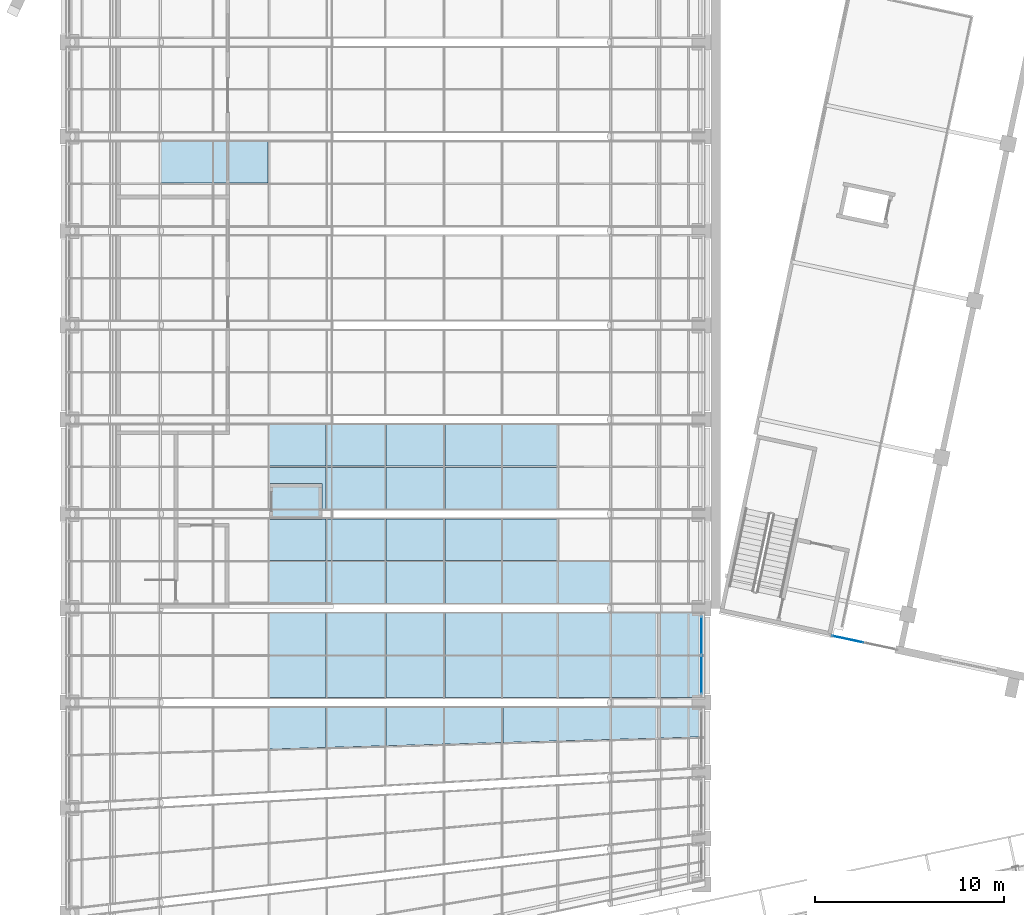
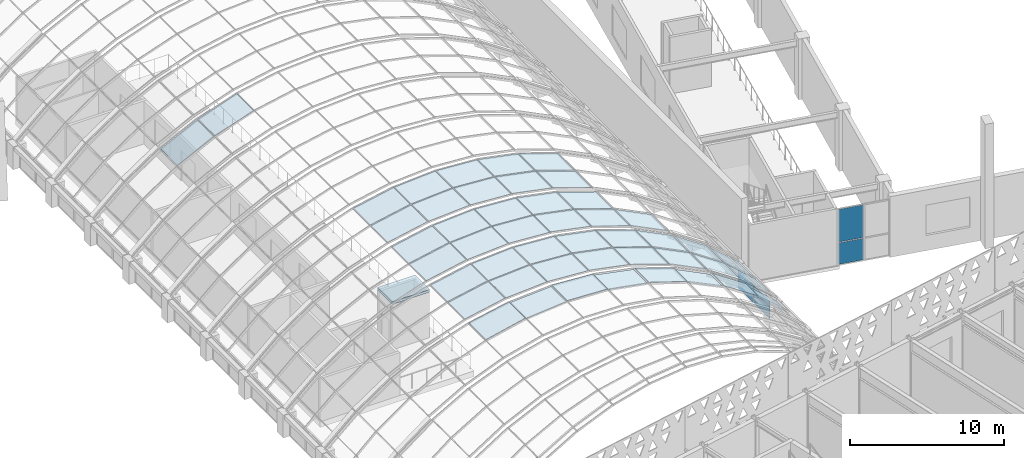
# One storey, part 106 of 182: 51 plates, 1 slab, 7 elements without a shape of their own.
"""IFC4 building model written with IfcOpenShell, lengths in metres."""

from ifc_helpers import new_model, si_unit, direction, frame, origin, origin_2d, place, context, subcontext, project, spatial, polyline, rectangle, outline, extrude, material, layer, layer_set, type_object, element, aggregate, save


model = new_model("IFC4")

# Units and contexts
model_context = context("Model", 3, precision=1e-05, world=origin(), true_north=direction((0.0, 1.0)))
body_context = subcontext(model_context, "Body", "Model", "MODEL_VIEW")
ifc_project = project(units=[si_unit("LENGTHUNIT", "METRE"), si_unit("AREAUNIT", "SQUARE_METRE"), si_unit("VOLUMEUNIT", "CUBIC_METRE"), si_unit("PLANEANGLEUNIT", "RADIAN"), si_unit("MASSUNIT", "GRAM", prefix="KILO")], contexts=[model_context])

# Site, building, storey
site_placement = place(None, origin())
site = spatial("IfcSite", under=ifc_project, at=site_placement, CompositionType="ELEMENT")
building_placement = place(site_placement, origin())
building = spatial("IfcBuilding", under=site, at=building_placement, Name="Okhra Congress Centre", CompositionType="ELEMENT")
storey_placement = place(building_placement, frame((0.0, 0.0, 7.199951171875)))
storey = spatial("IfcBuildingStorey", under=building, at=storey_placement, Name="L01", CompositionType="ELEMENT", Elevation=7.199951171875)

# Curtain wall, plates
ifc_material_1 = material(Name="Aluminium curtain wall, triple glazing", Category="aluminium")
curtain_wall_type_1 = type_object("IfcCurtainWallType", Name="Curtain wall 2100 module", PredefinedType="NOTDEFINED", material=ifc_material_1)
curtain_wall_1_placement = place(storey_placement, origin())
curtain_wall_1 = element("IfcCurtainWall", 1, at=curtain_wall_1_placement, inside=storey, type_object=curtain_wall_type_1, Name="East bay 4 clerestory glazing", PredefinedType="NOTDEFINED")
ifc_material_2 = material(Name="Triple glazing unit, low-e coating, argon fill", Category="glass")
ifc_layer_1 = layer(ifc_material_2, 0.028076171875)
ifc_layer_set_1 = layer_set([ifc_layer_1], Name="Curtain wall glazing unit 28")
plate_type_1 = type_object("IfcPlateType", Name="Curtain wall glazing unit 28", PredefinedType="CURTAIN_PANEL", material=ifc_layer_set_1)
plate_1_placement = place(storey_placement, frame((189.0, 92.465087890625, 0.06005859375), z_axis=(0.0, 0.0, 1.0), x_axis=(0.0, 1.0, 0.0)))
plate_1 = element("IfcPlate", 2, at=plate_1_placement, type_object=plate_type_1, Name="CW4 panel 1.1", PredefinedType="CURTAIN_PANEL", context=body_context, shape_type="SweptSolid", body=[
    extrude(rectangle(XDim=2.010009765625, YDim=0.028076171875, at=origin_2d()), origin(), (0.0, 0.0, 1.0), 1.3798828125),
])
plate_2_placement = place(storey_placement, frame((189.0, 94.534912109375, 0.06005859375), z_axis=(0.0, 0.0, 1.0), x_axis=(0.0, 1.0, 0.0)))
plate_2 = element("IfcPlate", 3, at=plate_2_placement, type_object=plate_type_1, Name="CW4 panel 2.1", PredefinedType="CURTAIN_PANEL", context=body_context, shape_type="SweptSolid", body=[
    extrude(rectangle(XDim=2.010009765625, YDim=0.028076171875, at=origin_2d()), origin(), (0.0, 0.0, 1.0), 1.3798828125),
])
aggregate(curtain_wall_1, [plate_1, plate_2])

curtain_wall_type_2 = type_object("IfcCurtainWallType", Name="Curtain wall 1775 module", PredefinedType="NOTDEFINED", material=ifc_material_1)
curtain_wall_2_placement = place(storey_placement, origin())
curtain_wall_2 = element("IfcCurtainWall", 4, at=curtain_wall_2_placement, inside=storey, type_object=curtain_wall_type_2, Name="Foyer south upper glazing", PredefinedType="NOTDEFINED")
plate_3_placement = place(storey_placement, frame((196.759033203125, 94.35888671875, 0.06005859375), z_axis=(0.0, 0.0, 1.0), x_axis=(0.978147600734, -0.207911690818, 0.0)))
plate_3 = element("IfcPlate", 5, at=plate_3_placement, type_object=plate_type_1, Name="CW5 panel 1.1", PredefinedType="CURTAIN_PANEL", context=body_context, shape_type="SweptSolid", body=[
    extrude(rectangle(XDim=1.68505859375, YDim=0.028076171875, at=origin_2d()), origin(), (0.0, 0.0, 1.0), 1.7099609375),
])
plate_4_placement = place(storey_placement, frame((196.759033203125, 94.35888671875, 1.830078125), z_axis=(0.0, 0.0, 1.0), x_axis=(0.978147600734, -0.207911690818, 0.0)))
plate_4 = element("IfcPlate", 6, at=plate_4_placement, type_object=plate_type_1, Name="CW5 panel 1.2", PredefinedType="CURTAIN_PANEL", context=body_context, shape_type="SweptSolid", body=[
    extrude(rectangle(XDim=1.68505859375, YDim=0.028076171875, at=origin_2d()), origin(), (0.0, 0.0, 1.0), 2.590087890625),
])
aggregate(curtain_wall_2, [plate_3, plate_4])

ifc_material_3 = material(Name="Aluminium frame with triple glazing", Category="aluminium")
curtain_wall_type_3 = type_object("IfcCurtainWallType", Name="Glazed vault bay curtain wall", PredefinedType="NOTDEFINED", material=ifc_material_3)
curtain_wall_3_placement = place(storey_placement, origin())
curtain_wall_3 = element("IfcCurtainWall", 7, at=curtain_wall_3_placement, inside=storey, type_object=curtain_wall_type_3, Name="Vault glazing bay 3", PredefinedType="NOTDEFINED")
ifc_material_4 = material(Name="Laminated toughened glass unit, low-e coating", Category="glass")
ifc_layer_2 = layer(ifc_material_4, 0.035888671875)
ifc_layer_set_2 = layer_set([ifc_layer_2], Name="Laminated safety glazing unit 36 mm")
plate_type_2 = type_object("IfcPlateType", Name="Laminated safety glazing unit 36 mm", PredefinedType="CURTAIN_PANEL", material=ifc_layer_set_2)
plate_5_placement = place(storey_placement, frame((184.242919921875, 89.045654296875, 5.7666015625), z_axis=(0.55950430238, 0.0, 0.828827446226), x_axis=(0.828602055759, 0.023319604489, -0.559352151366)))
plate_5 = element("IfcPlate", 8, at=plate_5_placement, type_object=plate_type_2, Name="Vault glass panel 3.2.11", PredefinedType="CURTAIN_PANEL", context=body_context, shape_type="SweptSolid", body=[
    extrude(outline(polyline([(0.0, 0.0), (3.0675135660221287, -3.469446951953614e-18), (3.1052826715352118, 1.61918846606234), (0.039437231517805996, 1.6907022165230372), (0.0, 0.0)])), origin(), (0.0, 0.0, -1.0), 0.035888671875),
])
plate_6_placement = place(storey_placement, frame((186.77685546875, 89.118408203125, 3.943115234375), z_axis=(0.663651964383, 0.0, 0.748041489605), x_axis=(0.747875068712, 0.021092687655, -0.663504318091)))
plate_6 = element("IfcPlate", 9, at=plate_6_placement, type_object=plate_type_2, Name="Vault glass panel 3.2.12", PredefinedType="CURTAIN_PANEL", context=body_context, shape_type="SweptSolid", body=[
    extrude(outline(polyline([(0.0, 0.0), (3.067284107290053, 0.0), (3.1000560468012957, 1.55336527490729), (0.03413657872721983, 1.618048146976811), (0.0, 0.0)])), origin(), (0.0, 0.0, -1.0), 0.035888671875),
])

curtain_wall_4_placement = place(storey_placement, origin())
curtain_wall_4 = element("IfcCurtainWall", 10, at=curtain_wall_4_placement, inside=storey, type_object=curtain_wall_type_3, Name="Vault glazing bay 4", PredefinedType="NOTDEFINED")
plate_7_placement = place(storey_placement, frame((184.217529296875, 91.26318359375, 5.729248046875), z_axis=(0.55946738617, 0.0, 0.82885236551), x_axis=(0.82885236551, 0.0, -0.55946738617)))
plate_7 = element("IfcPlate", 11, at=plate_7_placement, type_object=plate_type_2, Name="Vault glass panel 4.1.11", PredefinedType="CURTAIN_PANEL", context=body_context, shape_type="SweptSolid", body=[
    extrude(outline(polyline([(0.0, 0.0), (3.0668817430899797, 0.0), (3.0668817430899797, 2.206787109375), (0.0, 2.206787109375), (0.0, 0.0)])), origin(), (0.0, 0.0, -1.0), 0.035888671875),
])
plate_8_placement = place(storey_placement, frame((186.806640625, 91.26318359375, 3.976806640625), z_axis=(0.663696509452, 0.0, 0.748001967472), x_axis=(0.748001967472, 0.0, -0.663696509452)))
plate_8 = element("IfcPlate", 12, at=plate_8_placement, type_object=plate_type_2, Name="Vault glass panel 4.1.12", PredefinedType="CURTAIN_PANEL", context=body_context, shape_type="SweptSolid", body=[
    extrude(outline(polyline([(0.0, 0.0), (3.066763741617069, 0.0), (3.066763741617069, 2.206787109375), (0.0, 2.206787109375), (0.0, 0.0)])), origin(), (0.0, 0.0, -1.0), 0.035888671875),
])
plate_9_placement = place(storey_placement, frame((184.217529296875, 93.530029296875, 5.729248046875), z_axis=(0.55946738617, 0.0, 0.82885236551), x_axis=(0.82885236551, 0.0, -0.55946738617)))
plate_9 = element("IfcPlate", 13, at=plate_9_placement, type_object=plate_type_2, Name="Vault glass panel 4.2.11", PredefinedType="CURTAIN_PANEL", context=body_context, shape_type="SweptSolid", body=[
    extrude(outline(polyline([(0.0, 0.0), (3.0668817430899797, 0.0), (3.0668817430899797, 2.206787109375), (0.0, 2.206787109375), (0.0, 0.0)])), origin(), (0.0, 0.0, -1.0), 0.035888671875),
])
plate_10_placement = place(storey_placement, frame((186.806640625, 93.530029296875, 3.976806640625), z_axis=(0.663696509452, 0.0, 0.748001967472), x_axis=(0.748001967472, 0.0, -0.663696509452)))
plate_10 = element("IfcPlate", 14, at=plate_10_placement, type_object=plate_type_2, Name="Vault glass panel 4.2.12", PredefinedType="CURTAIN_PANEL", context=body_context, shape_type="SweptSolid", body=[
    extrude(outline(polyline([(0.0, 0.0), (3.066763741617069, 0.0), (3.066763741617069, 2.206787109375), (0.0, 2.206787109375), (0.0, 0.0)])), origin(), (0.0, 0.0, -1.0), 0.035888671875),
])

# Slab
ifc_material_5 = material(Name="Concrete C30/37", Category="concrete")
ifc_layer_3 = layer(ifc_material_5, 0.199951171875)
ifc_layer_set_3 = layer_set([ifc_layer_3], Name="RC roof slab 200 C30/37")
slab_type = type_object("IfcSlabType", Name="RC roof slab 200 C30/37", PredefinedType="ROOF", material=ifc_layer_set_3)
slab_placement = place(storey_placement, frame((0.0, 0.0, 3.60009765625)))
element("IfcSlab", 15, at=slab_placement, inside=storey, type_object=slab_type, Name="Gallery lift shaft lid", PredefinedType="ROOF", context=body_context, shape_type="SweptSolid", body=[
    extrude(outline(polyline([(166.10009765625, 100.699951171875), (168.89990234375, 100.699951171875), (168.89990234375, 102.60009765625), (166.10009765625, 102.60009765625), (166.10009765625, 100.699951171875)])), origin(), (0.0, 0.0, 1.0), 0.199951171875),
])

# Plate
ifc_material_6 = material(Name="Toughened triple glazed unit")
ifc_layer_4 = layer(ifc_material_6, 0.028076171875)
ifc_layer_set_4 = layer_set([ifc_layer_4], Name="Triple glazed unit 28 mm")
plate_type_3 = type_object("IfcPlateType", Name="Triple glazed unit 28 mm", PredefinedType="CURTAIN_PANEL", material=ifc_layer_set_4)
plate_11_placement = place(storey_placement, frame((166.086181640625, 88.535888671875, 8.1982421875), z_axis=(-0.196682690656, 0.0, 0.98046719435), x_axis=(0.980093125278, 0.027620589172, 0.196607652029)))
plate_11 = element("IfcPlate", 16, at=plate_11_placement, type_object=plate_type_3, Name="Vault glass panel 3.2.5", PredefinedType="CURTAIN_PANEL", context=body_context, shape_type="SweptSolid", body=[
    extrude(outline(polyline([(0.0, 0.0), (3.0671611075448784, -4.7704895589362195e-18), (3.1256121004502835, 2.1154035580529307), (0.060790920747834445, 2.200088033669494), (0.0, 0.0)])), origin(), (0.0, 0.0, -1.0), 0.028076171875),
])

plate_12_placement = place(storey_placement, frame((169.16357421875, 88.622314453125, 8.719970703125), z_axis=(-0.065927117555, 0.0, 0.997824441057), x_axis=(0.997432770247, 0.028015985886, 0.065901239528)))
plate_12 = element("IfcPlate", 17, at=plate_12_placement, type_object=plate_type_3, Name="Vault glass panel 3.2.6", PredefinedType="CURTAIN_PANEL", context=body_context, shape_type="SweptSolid", body=[
    extrude(outline(polyline([(0.0, 0.0), (3.0674451489507177, -4.2825985813177425e-18), (3.124277382038916, 2.027768191328718), (0.05923985687530193, 2.1136719587312585), (0.0, 0.0)])), origin(), (0.0, 0.0, -1.0), 0.028076171875),
])

plate_13_placement = place(storey_placement, frame((172.282958984375, 88.7099609375, 9.011962890625), z_axis=(0.065932355807, 0.0, 0.997824094947), x_axis=(0.997432362067, 0.028018210155, -0.065906471614)))
plate_13 = element("IfcPlate", 18, at=plate_13_placement, type_object=plate_type_3, Name="Vault glass panel 3.2.7", PredefinedType="CURTAIN_PANEL", context=body_context, shape_type="SweptSolid", body=[
    extrude(outline(polyline([(0.0, 0.0), (3.0672016351406186, -9.920449878242366e-18), (3.1215826826819573, 1.9401559893691365), (0.05678886247650216, 2.02605975141416), (0.0, 0.0)])), origin(), (0.0, 0.0, -1.0), 0.028076171875),
])

plate_14_placement = place(storey_placement, frame((175.389892578125, 88.797607421875, 8.712890625), z_axis=(0.196590791611, 0.0, 0.980485624909), x_axis=(0.98011374693, 0.027539333802, -0.196516228778)))
plate_14 = element("IfcPlate", 19, at=plate_14_placement, type_object=plate_type_3, Name="Vault glass panel 3.2.8", PredefinedType="CURTAIN_PANEL", context=body_context, shape_type="SweptSolid", body=[
    extrude(outline(polyline([(0.0, 0.0), (3.0673456684670275, 1.734723475976807e-18), (3.118423871321938, 1.8540328648812352), (0.053404523532520114, 1.9384734823945835), (0.0, 0.0)])), origin(), (0.0, 0.0, -1.0), 0.028076171875),
])

plate_15_placement = place(storey_placement, frame((178.4775390625, 88.8837890625, 8.18115234375), z_axis=(0.323933419168, 0.0, 0.94607988032), x_axis=(0.945745446616, 0.026586901706, -0.3238189106)))
plate_15 = element("IfcPlate", 20, at=plate_15_placement, type_object=plate_type_3, Name="Vault glass panel 3.2.9", PredefinedType="CURTAIN_PANEL", context=body_context, shape_type="SweptSolid", body=[
    extrude(outline(polyline([(0.0, 0.0), (3.0670354015476353, -6.938893903907228e-18), (3.1141336824996086, 1.770858165636229), (0.049266255846950956, 1.8523723094237843), (0.0, 0.0)])), origin(), (0.0, 0.0, -1.0), 0.028076171875),
])

plate_16_placement = place(storey_placement, frame((181.39892578125, 88.967041015625, 7.08203125), z_axis=(0.445588482535, 0.0, 0.895237903706), x_axis=(0.894954641279, 0.025153932815, -0.445447493783)))
plate_16 = element("IfcPlate", 21, at=plate_16_placement, type_object=plate_type_3, Name="Vault glass panel 3.2.10", PredefinedType="CURTAIN_PANEL", context=body_context, shape_type="SweptSolid", body=[
    extrude(outline(polyline([(0.0, 0.0), (3.0670526977236903, -1.734723475976807e-18), (3.109628922384224, 1.6920913886486384), (0.044516811274225895, 1.7692154155941122), (0.0, 0.0)])), origin(), (0.0, 0.0, -1.0), 0.028076171875),
])

aggregate(curtain_wall_3, [plate_11, plate_12, plate_13, plate_14, plate_15, plate_16, plate_5, plate_6])

plate_17_placement = place(storey_placement, frame((166.094970703125, 91.26318359375, 8.154052734375), z_axis=(-0.196667336174, 0.0, 0.980470274349), x_axis=(0.980470274349, 0.0, 0.196667336174)))
plate_17 = element("IfcPlate", 22, at=plate_17_placement, type_object=plate_type_3, Name="Vault glass panel 4.1.5", PredefinedType="CURTAIN_PANEL", context=body_context, shape_type="SweptSolid", body=[
    extrude(outline(polyline([(0.0, 0.0), (3.0662302926476426, 0.0), (3.0662302926476426, 2.206787109375), (0.0, 2.206787109375), (0.0, 0.0)])), origin(), (0.0, 0.0, -1.0), 0.028076171875),
])

plate_18_placement = place(storey_placement, frame((169.16064453125, 91.26318359375, 8.764892578125), z_axis=(-0.065932355807, 0.0, 0.997824094947), x_axis=(0.997824094947, 0.0, 0.065932355807)))
plate_18 = element("IfcPlate", 23, at=plate_18_placement, type_object=plate_type_3, Name="Vault glass panel 4.1.6", PredefinedType="CURTAIN_PANEL", context=body_context, shape_type="SweptSolid", body=[
    extrude(outline(polyline([(0.0, 0.0), (3.0659974913073613, 0.0), (3.0659974913073613, 2.2067871093750004), (0.0, 2.2067871093750004), (0.0, 0.0)])), origin(), (0.0, 0.0, -1.0), 0.028076171875),
])

plate_19_placement = place(storey_placement, frame((172.280029296875, 91.26318359375, 8.967041015625), z_axis=(0.065932355807, 0.0, 0.997824094947), x_axis=(0.997824094947, 0.0, -0.065932355807)))
plate_19 = element("IfcPlate", 24, at=plate_19_placement, type_object=plate_type_3, Name="Vault glass panel 4.1.7", PredefinedType="CURTAIN_PANEL", context=body_context, shape_type="SweptSolid", body=[
    extrude(outline(polyline([(0.0, 0.0), (3.0659974913073613, 0.0), (3.0659974913073613, 2.2067871093750004), (0.0, 2.2067871093750004), (0.0, 0.0)])), origin(), (0.0, 0.0, -1.0), 0.028076171875),
])

plate_20_placement = place(storey_placement, frame((175.398681640625, 91.26318359375, 8.757080078125), z_axis=(0.196667336174, 0.0, 0.980470274349), x_axis=(0.980470274349, 0.0, -0.196667336174)))
plate_20 = element("IfcPlate", 25, at=plate_20_placement, type_object=plate_type_3, Name="Vault glass panel 4.1.8", PredefinedType="CURTAIN_PANEL", context=body_context, shape_type="SweptSolid", body=[
    extrude(outline(polyline([(0.0, 0.0), (3.0662302926476426, 0.0), (3.0662302926476426, 2.206787109375), (0.0, 2.206787109375), (0.0, 0.0)])), origin(), (0.0, 0.0, -1.0), 0.028076171875),
])

plate_21_placement = place(storey_placement, frame((178.462890625, 91.26318359375, 8.138427734375), z_axis=(0.323909017048, 0.0, 0.946088235143), x_axis=(0.946088235143, 0.0, -0.323909017048)))
plate_21 = element("IfcPlate", 26, at=plate_21_placement, type_object=plate_type_3, Name="Vault glass panel 4.1.9", PredefinedType="CURTAIN_PANEL", context=body_context, shape_type="SweptSolid", body=[
    extrude(outline(polyline([(0.0, 0.0), (3.0661822000278622, 0.0), (3.0661822000278622, 2.2067871093750004), (0.0, 2.2067871093750004), (0.0, 0.0)])), origin(), (0.0, 0.0, -1.0), 0.028076171875),
])

plate_22_placement = place(storey_placement, frame((181.4189453125, 91.26318359375, 7.122314453125), z_axis=(0.445588482535, 0.0, 0.895237903706), x_axis=(0.895237903706, 0.0, -0.445588482535)))
plate_22 = element("IfcPlate", 27, at=plate_22_placement, type_object=plate_type_3, Name="Vault glass panel 4.1.10", PredefinedType="CURTAIN_PANEL", context=body_context, shape_type="SweptSolid", body=[
    extrude(outline(polyline([(0.0, 0.0), (3.066082250887193, 0.0), (3.066082250887193, 2.206787109375), (0.0, 2.206787109375), (0.0, 0.0)])), origin(), (0.0, 0.0, -1.0), 0.028076171875),
])

plate_23_placement = place(storey_placement, frame((166.094970703125, 93.530029296875, 8.154052734375), z_axis=(-0.196667336174, 0.0, 0.980470274349), x_axis=(0.980470274349, 0.0, 0.196667336174)))
plate_23 = element("IfcPlate", 28, at=plate_23_placement, type_object=plate_type_3, Name="Vault glass panel 4.2.5", PredefinedType="CURTAIN_PANEL", context=body_context, shape_type="SweptSolid", body=[
    extrude(outline(polyline([(0.0, 0.0), (3.0662302926476426, 0.0), (3.0662302926476426, 2.206787109375), (0.0, 2.206787109375), (0.0, 0.0)])), origin(), (0.0, 0.0, -1.0), 0.028076171875),
])

plate_24_placement = place(storey_placement, frame((169.16064453125, 93.530029296875, 8.764892578125), z_axis=(-0.065932355807, 0.0, 0.997824094947), x_axis=(0.997824094947, 0.0, 0.065932355807)))
plate_24 = element("IfcPlate", 29, at=plate_24_placement, type_object=plate_type_3, Name="Vault glass panel 4.2.6", PredefinedType="CURTAIN_PANEL", context=body_context, shape_type="SweptSolid", body=[
    extrude(outline(polyline([(0.0, 0.0), (3.0659974913073613, 0.0), (3.0659974913073613, 2.2067871093750004), (0.0, 2.2067871093750004), (0.0, 0.0)])), origin(), (0.0, 0.0, -1.0), 0.028076171875),
])

plate_25_placement = place(storey_placement, frame((172.280029296875, 93.530029296875, 8.967041015625), z_axis=(0.065932355807, 0.0, 0.997824094947), x_axis=(0.997824094947, 0.0, -0.065932355807)))
plate_25 = element("IfcPlate", 30, at=plate_25_placement, type_object=plate_type_3, Name="Vault glass panel 4.2.7", PredefinedType="CURTAIN_PANEL", context=body_context, shape_type="SweptSolid", body=[
    extrude(outline(polyline([(0.0, 0.0), (3.0659974913073613, 0.0), (3.0659974913073613, 2.2067871093750004), (0.0, 2.2067871093750004), (0.0, 0.0)])), origin(), (0.0, 0.0, -1.0), 0.028076171875),
])

plate_26_placement = place(storey_placement, frame((175.398681640625, 93.530029296875, 8.757080078125), z_axis=(0.196667336174, 0.0, 0.980470274349), x_axis=(0.980470274349, 0.0, -0.196667336174)))
plate_26 = element("IfcPlate", 31, at=plate_26_placement, type_object=plate_type_3, Name="Vault glass panel 4.2.8", PredefinedType="CURTAIN_PANEL", context=body_context, shape_type="SweptSolid", body=[
    extrude(outline(polyline([(0.0, 0.0), (3.0662302926476426, 0.0), (3.0662302926476426, 2.206787109375), (0.0, 2.206787109375), (0.0, 0.0)])), origin(), (0.0, 0.0, -1.0), 0.028076171875),
])

plate_27_placement = place(storey_placement, frame((178.462890625, 93.530029296875, 8.138427734375), z_axis=(0.323909017048, 0.0, 0.946088235143), x_axis=(0.946088235143, 0.0, -0.323909017048)))
plate_27 = element("IfcPlate", 32, at=plate_27_placement, type_object=plate_type_3, Name="Vault glass panel 4.2.9", PredefinedType="CURTAIN_PANEL", context=body_context, shape_type="SweptSolid", body=[
    extrude(outline(polyline([(0.0, 0.0), (3.0661822000278622, 0.0), (3.0661822000278622, 2.2067871093750004), (0.0, 2.2067871093750004), (0.0, 0.0)])), origin(), (0.0, 0.0, -1.0), 0.028076171875),
])

plate_28_placement = place(storey_placement, frame((181.4189453125, 93.530029296875, 7.122314453125), z_axis=(0.445588482535, 0.0, 0.895237903706), x_axis=(0.895237903706, 0.0, -0.445588482535)))
plate_28 = element("IfcPlate", 33, at=plate_28_placement, type_object=plate_type_3, Name="Vault glass panel 4.2.10", PredefinedType="CURTAIN_PANEL", context=body_context, shape_type="SweptSolid", body=[
    extrude(outline(polyline([(0.0, 0.0), (3.066082250887193, 0.0), (3.066082250887193, 2.206787109375), (0.0, 2.206787109375), (0.0, 0.0)])), origin(), (0.0, 0.0, -1.0), 0.028076171875),
])

aggregate(curtain_wall_4, [plate_17, plate_18, plate_19, plate_20, plate_21, plate_22, plate_7, plate_8, plate_23, plate_24, plate_25, plate_26, plate_27, plate_28, plate_9, plate_10])

# Curtain wall, plates
curtain_wall_5_placement = place(storey_placement, origin())
curtain_wall_5 = element("IfcCurtainWall", 34, at=curtain_wall_5_placement, inside=storey, type_object=curtain_wall_type_3, Name="Vault glazing bay 5", PredefinedType="NOTDEFINED")
plate_29_placement = place(storey_placement, frame((166.094970703125, 96.26318359375, 8.154052734375), z_axis=(-0.196667336174, 0.0, 0.980470274349), x_axis=(0.980470274349, 0.0, 0.196667336174)))
plate_29 = element("IfcPlate", 35, at=plate_29_placement, type_object=plate_type_3, Name="Vault glass panel 5.1.5", PredefinedType="CURTAIN_PANEL", context=body_context, shape_type="SweptSolid", body=[
    extrude(outline(polyline([(0.0, 0.0), (3.0662302926476426, 0.0), (3.0662302926476426, 2.206787109375), (0.0, 2.206787109375), (0.0, 0.0)])), origin(), (0.0, 0.0, -1.0), 0.028076171875),
])
plate_30_placement = place(storey_placement, frame((169.16064453125, 96.26318359375, 8.764892578125), z_axis=(-0.065932355807, 0.0, 0.997824094947), x_axis=(0.997824094947, 0.0, 0.065932355807)))
plate_30 = element("IfcPlate", 36, at=plate_30_placement, type_object=plate_type_3, Name="Vault glass panel 5.1.6", PredefinedType="CURTAIN_PANEL", context=body_context, shape_type="SweptSolid", body=[
    extrude(outline(polyline([(0.0, 0.0), (3.0659974913073613, 0.0), (3.0659974913073613, 2.2067871093750004), (0.0, 2.2067871093750004), (0.0, 0.0)])), origin(), (0.0, 0.0, -1.0), 0.028076171875),
])
plate_31_placement = place(storey_placement, frame((172.280029296875, 96.26318359375, 8.967041015625), z_axis=(0.065932355807, 0.0, 0.997824094947), x_axis=(0.997824094947, 0.0, -0.065932355807)))
plate_31 = element("IfcPlate", 37, at=plate_31_placement, type_object=plate_type_3, Name="Vault glass panel 5.1.7", PredefinedType="CURTAIN_PANEL", context=body_context, shape_type="SweptSolid", body=[
    extrude(outline(polyline([(0.0, 0.0), (3.0659974913073613, 0.0), (3.0659974913073613, 2.2067871093750004), (0.0, 2.2067871093750004), (0.0, 0.0)])), origin(), (0.0, 0.0, -1.0), 0.028076171875),
])
plate_32_placement = place(storey_placement, frame((175.398681640625, 96.26318359375, 8.757080078125), z_axis=(0.196667336174, 0.0, 0.980470274349), x_axis=(0.980470274349, 0.0, -0.196667336174)))
plate_32 = element("IfcPlate", 38, at=plate_32_placement, type_object=plate_type_3, Name="Vault glass panel 5.1.8", PredefinedType="CURTAIN_PANEL", context=body_context, shape_type="SweptSolid", body=[
    extrude(outline(polyline([(0.0, 0.0), (3.0662302926476426, 0.0), (3.0662302926476426, 2.206787109375), (0.0, 2.206787109375), (0.0, 0.0)])), origin(), (0.0, 0.0, -1.0), 0.028076171875),
])
plate_33_placement = place(storey_placement, frame((178.462890625, 96.26318359375, 8.138427734375), z_axis=(0.323909017048, 0.0, 0.946088235143), x_axis=(0.946088235143, 0.0, -0.323909017048)))
plate_33 = element("IfcPlate", 39, at=plate_33_placement, type_object=plate_type_3, Name="Vault glass panel 5.1.9", PredefinedType="CURTAIN_PANEL", context=body_context, shape_type="SweptSolid", body=[
    extrude(outline(polyline([(0.0, 0.0), (3.0661822000278622, 0.0), (3.0661822000278622, 2.2067871093750004), (0.0, 2.2067871093750004), (0.0, 0.0)])), origin(), (0.0, 0.0, -1.0), 0.028076171875),
])
plate_34_placement = place(storey_placement, frame((181.4189453125, 96.26318359375, 7.122314453125), z_axis=(0.445588482535, 0.0, 0.895237903706), x_axis=(0.895237903706, 0.0, -0.445588482535)))
plate_34 = element("IfcPlate", 40, at=plate_34_placement, type_object=plate_type_3, Name="Vault glass panel 5.1.10", PredefinedType="CURTAIN_PANEL", context=body_context, shape_type="SweptSolid", body=[
    extrude(outline(polyline([(0.0, 0.0), (3.066082250887193, 0.0), (3.066082250887193, 2.206787109375), (0.0, 2.206787109375), (0.0, 0.0)])), origin(), (0.0, 0.0, -1.0), 0.028076171875),
])
plate_35_placement = place(storey_placement, frame((166.094970703125, 98.530029296875, 8.154052734375), z_axis=(-0.196667336174, 0.0, 0.980470274349), x_axis=(0.980470274349, 0.0, 0.196667336174)))
plate_35 = element("IfcPlate", 41, at=plate_35_placement, type_object=plate_type_3, Name="Vault glass panel 5.2.5", PredefinedType="CURTAIN_PANEL", context=body_context, shape_type="SweptSolid", body=[
    extrude(outline(polyline([(0.0, 0.0), (3.0662302926476426, 0.0), (3.0662302926476426, 2.206787109375), (0.0, 2.206787109375), (0.0, 0.0)])), origin(), (0.0, 0.0, -1.0), 0.028076171875),
])
plate_36_placement = place(storey_placement, frame((169.16064453125, 98.530029296875, 8.764892578125), z_axis=(-0.065932355807, 0.0, 0.997824094947), x_axis=(0.997824094947, 0.0, 0.065932355807)))
plate_36 = element("IfcPlate", 42, at=plate_36_placement, type_object=plate_type_3, Name="Vault glass panel 5.2.6", PredefinedType="CURTAIN_PANEL", context=body_context, shape_type="SweptSolid", body=[
    extrude(outline(polyline([(0.0, 0.0), (3.0659974913073613, 0.0), (3.0659974913073613, 2.2067871093750004), (0.0, 2.2067871093750004), (0.0, 0.0)])), origin(), (0.0, 0.0, -1.0), 0.028076171875),
])
plate_37_placement = place(storey_placement, frame((172.280029296875, 98.530029296875, 8.967041015625), z_axis=(0.065932355807, 0.0, 0.997824094947), x_axis=(0.997824094947, 0.0, -0.065932355807)))
plate_37 = element("IfcPlate", 43, at=plate_37_placement, type_object=plate_type_3, Name="Vault glass panel 5.2.7", PredefinedType="CURTAIN_PANEL", context=body_context, shape_type="SweptSolid", body=[
    extrude(outline(polyline([(0.0, 0.0), (3.0659974913073613, 0.0), (3.0659974913073613, 2.2067871093750004), (0.0, 2.2067871093750004), (0.0, 0.0)])), origin(), (0.0, 0.0, -1.0), 0.028076171875),
])
plate_38_placement = place(storey_placement, frame((175.398681640625, 98.530029296875, 8.757080078125), z_axis=(0.196667336174, 0.0, 0.980470274349), x_axis=(0.980470274349, 0.0, -0.196667336174)))
plate_38 = element("IfcPlate", 44, at=plate_38_placement, type_object=plate_type_3, Name="Vault glass panel 5.2.8", PredefinedType="CURTAIN_PANEL", context=body_context, shape_type="SweptSolid", body=[
    extrude(outline(polyline([(0.0, 0.0), (3.0662302926476426, 0.0), (3.0662302926476426, 2.206787109375), (0.0, 2.206787109375), (0.0, 0.0)])), origin(), (0.0, 0.0, -1.0), 0.028076171875),
])
plate_39_placement = place(storey_placement, frame((178.462890625, 98.530029296875, 8.138427734375), z_axis=(0.323909017048, 0.0, 0.946088235143), x_axis=(0.946088235143, 0.0, -0.323909017048)))
plate_39 = element("IfcPlate", 45, at=plate_39_placement, type_object=plate_type_3, Name="Vault glass panel 5.2.9", PredefinedType="CURTAIN_PANEL", context=body_context, shape_type="SweptSolid", body=[
    extrude(outline(polyline([(0.0, 0.0), (3.0661822000278622, 0.0), (3.0661822000278622, 2.2067871093750004), (0.0, 2.2067871093750004), (0.0, 0.0)])), origin(), (0.0, 0.0, -1.0), 0.028076171875),
])
aggregate(curtain_wall_5, [plate_29, plate_30, plate_31, plate_32, plate_33, plate_34, plate_35, plate_36, plate_37, plate_38, plate_39])

curtain_wall_6_placement = place(storey_placement, origin())
curtain_wall_6 = element("IfcCurtainWall", 46, at=curtain_wall_6_placement, inside=storey, type_object=curtain_wall_type_3, Name="Vault glazing bay 6", PredefinedType="NOTDEFINED")
plate_40_placement = place(storey_placement, frame((166.094970703125, 101.26318359375, 8.154052734375), z_axis=(-0.196667336174, 0.0, 0.980470274349), x_axis=(0.980470274349, 0.0, 0.196667336174)))
plate_40 = element("IfcPlate", 47, at=plate_40_placement, type_object=plate_type_3, Name="Vault glass panel 6.1.5", PredefinedType="CURTAIN_PANEL", context=body_context, shape_type="SweptSolid", body=[
    extrude(outline(polyline([(0.0, 0.0), (3.0662302926476426, 0.0), (3.0662302926476426, 2.206787109375), (0.0, 2.206787109375), (0.0, 0.0)])), origin(), (0.0, 0.0, -1.0), 0.028076171875),
])
plate_41_placement = place(storey_placement, frame((169.16064453125, 101.26318359375, 8.764892578125), z_axis=(-0.065932355807, 0.0, 0.997824094947), x_axis=(0.997824094947, 0.0, 0.065932355807)))
plate_41 = element("IfcPlate", 48, at=plate_41_placement, type_object=plate_type_3, Name="Vault glass panel 6.1.6", PredefinedType="CURTAIN_PANEL", context=body_context, shape_type="SweptSolid", body=[
    extrude(outline(polyline([(0.0, 0.0), (3.0659974913073613, 0.0), (3.0659974913073613, 2.2067871093750004), (0.0, 2.2067871093750004), (0.0, 0.0)])), origin(), (0.0, 0.0, -1.0), 0.028076171875),
])
plate_42_placement = place(storey_placement, frame((172.280029296875, 101.26318359375, 8.967041015625), z_axis=(0.065932355807, 0.0, 0.997824094947), x_axis=(0.997824094947, 0.0, -0.065932355807)))
plate_42 = element("IfcPlate", 49, at=plate_42_placement, type_object=plate_type_3, Name="Vault glass panel 6.1.7", PredefinedType="CURTAIN_PANEL", context=body_context, shape_type="SweptSolid", body=[
    extrude(outline(polyline([(0.0, 0.0), (3.0659974913073613, 0.0), (3.0659974913073613, 2.2067871093750004), (0.0, 2.2067871093750004), (0.0, 0.0)])), origin(), (0.0, 0.0, -1.0), 0.028076171875),
])
plate_43_placement = place(storey_placement, frame((175.398681640625, 101.26318359375, 8.757080078125), z_axis=(0.196667336174, 0.0, 0.980470274349), x_axis=(0.980470274349, 0.0, -0.196667336174)))
plate_43 = element("IfcPlate", 50, at=plate_43_placement, type_object=plate_type_3, Name="Vault glass panel 6.1.8", PredefinedType="CURTAIN_PANEL", context=body_context, shape_type="SweptSolid", body=[
    extrude(outline(polyline([(0.0, 0.0), (3.0662302926476426, 0.0), (3.0662302926476426, 2.206787109375), (0.0, 2.206787109375), (0.0, 0.0)])), origin(), (0.0, 0.0, -1.0), 0.028076171875),
])
plate_44_placement = place(storey_placement, frame((178.462890625, 101.26318359375, 8.138427734375), z_axis=(0.323909017048, 0.0, 0.946088235143), x_axis=(0.946088235143, 0.0, -0.323909017048)))
plate_44 = element("IfcPlate", 51, at=plate_44_placement, type_object=plate_type_3, Name="Vault glass panel 6.1.9", PredefinedType="CURTAIN_PANEL", context=body_context, shape_type="SweptSolid", body=[
    extrude(outline(polyline([(0.0, 0.0), (3.0661822000278622, 0.0), (3.0661822000278622, 2.2067871093750004), (0.0, 2.2067871093750004), (0.0, 0.0)])), origin(), (0.0, 0.0, -1.0), 0.028076171875),
])
plate_45_placement = place(storey_placement, frame((166.094970703125, 103.530029296875, 8.154052734375), z_axis=(-0.196667336174, 0.0, 0.980470274349), x_axis=(0.980470274349, 0.0, 0.196667336174)))
plate_45 = element("IfcPlate", 52, at=plate_45_placement, type_object=plate_type_3, Name="Vault glass panel 6.2.5", PredefinedType="CURTAIN_PANEL", context=body_context, shape_type="SweptSolid", body=[
    extrude(outline(polyline([(0.0, 0.0), (3.0662302926476426, 0.0), (3.0662302926476426, 2.206787109375), (0.0, 2.206787109375), (0.0, 0.0)])), origin(), (0.0, 0.0, -1.0), 0.028076171875),
])
plate_46_placement = place(storey_placement, frame((169.16064453125, 103.530029296875, 8.764892578125), z_axis=(-0.065932355807, 0.0, 0.997824094947), x_axis=(0.997824094947, 0.0, 0.065932355807)))
plate_46 = element("IfcPlate", 53, at=plate_46_placement, type_object=plate_type_3, Name="Vault glass panel 6.2.6", PredefinedType="CURTAIN_PANEL", context=body_context, shape_type="SweptSolid", body=[
    extrude(outline(polyline([(0.0, 0.0), (3.0659974913073613, 0.0), (3.0659974913073613, 2.2067871093750004), (0.0, 2.2067871093750004), (0.0, 0.0)])), origin(), (0.0, 0.0, -1.0), 0.028076171875),
])
plate_47_placement = place(storey_placement, frame((172.280029296875, 103.530029296875, 8.967041015625), z_axis=(0.065932355807, 0.0, 0.997824094947), x_axis=(0.997824094947, 0.0, -0.065932355807)))
plate_47 = element("IfcPlate", 54, at=plate_47_placement, type_object=plate_type_3, Name="Vault glass panel 6.2.7", PredefinedType="CURTAIN_PANEL", context=body_context, shape_type="SweptSolid", body=[
    extrude(outline(polyline([(0.0, 0.0), (3.0659974913073613, 0.0), (3.0659974913073613, 2.2067871093750004), (0.0, 2.2067871093750004), (0.0, 0.0)])), origin(), (0.0, 0.0, -1.0), 0.028076171875),
])
plate_48_placement = place(storey_placement, frame((175.398681640625, 103.530029296875, 8.757080078125), z_axis=(0.196667336174, 0.0, 0.980470274349), x_axis=(0.980470274349, 0.0, -0.196667336174)))
plate_48 = element("IfcPlate", 55, at=plate_48_placement, type_object=plate_type_3, Name="Vault glass panel 6.2.8", PredefinedType="CURTAIN_PANEL", context=body_context, shape_type="SweptSolid", body=[
    extrude(outline(polyline([(0.0, 0.0), (3.0662302926476426, 0.0), (3.0662302926476426, 2.206787109375), (0.0, 2.206787109375), (0.0, 0.0)])), origin(), (0.0, 0.0, -1.0), 0.028076171875),
])
plate_49_placement = place(storey_placement, frame((178.462890625, 103.530029296875, 8.138427734375), z_axis=(0.323909017048, 0.0, 0.946088235143), x_axis=(0.946088235143, 0.0, -0.323909017048)))
plate_49 = element("IfcPlate", 56, at=plate_49_placement, type_object=plate_type_3, Name="Vault glass panel 6.2.9", PredefinedType="CURTAIN_PANEL", context=body_context, shape_type="SweptSolid", body=[
    extrude(outline(polyline([(0.0, 0.0), (3.0661822000278622, 0.0), (3.0661822000278622, 2.2067871093750004), (0.0, 2.2067871093750004), (0.0, 0.0)])), origin(), (0.0, 0.0, -1.0), 0.028076171875),
])
aggregate(curtain_wall_6, [plate_40, plate_41, plate_42, plate_43, plate_44, plate_45, plate_46, plate_47, plate_48, plate_49])

curtain_wall_7_placement = place(storey_placement, origin())
curtain_wall_7 = element("IfcCurtainWall", 57, at=curtain_wall_7_placement, inside=storey, type_object=curtain_wall_type_3, Name="Vault glazing bay 9", PredefinedType="NOTDEFINED")
plate_50_placement = place(storey_placement, frame((160.336181640625, 118.530029296875, 5.756103515625), z_axis=(-0.445588482535, 0.0, 0.895237903706), x_axis=(0.895237903706, 0.0, 0.445588482535)))
plate_50 = element("IfcPlate", 58, at=plate_50_placement, type_object=plate_type_3, Name="Vault glass panel 9.2.3", PredefinedType="CURTAIN_PANEL", context=body_context, shape_type="SweptSolid", body=[
    extrude(outline(polyline([(0.0, 0.0), (3.066082250887193, 0.0), (3.066082250887193, 2.206787109375), (0.0, 2.206787109375), (0.0, 0.0)])), origin(), (0.0, 0.0, -1.0), 0.028076171875),
])
plate_51_placement = place(storey_placement, frame((163.13623046875, 118.530029296875, 7.145263671875), z_axis=(-0.323909017048, 0.0, 0.946088235143), x_axis=(0.946088235143, 0.0, 0.323909017048)))
plate_51 = element("IfcPlate", 59, at=plate_51_placement, type_object=plate_type_3, Name="Vault glass panel 9.2.4", PredefinedType="CURTAIN_PANEL", context=body_context, shape_type="SweptSolid", body=[
    extrude(outline(polyline([(0.0, 0.0), (3.0661822000278622, 0.0), (3.0661822000278622, 2.2067871093750004), (0.0, 2.2067871093750004), (0.0, 0.0)])), origin(), (0.0, 0.0, -1.0), 0.028076171875),
])
aggregate(curtain_wall_7, [plate_50, plate_51])

save(model, "model.ifc")
